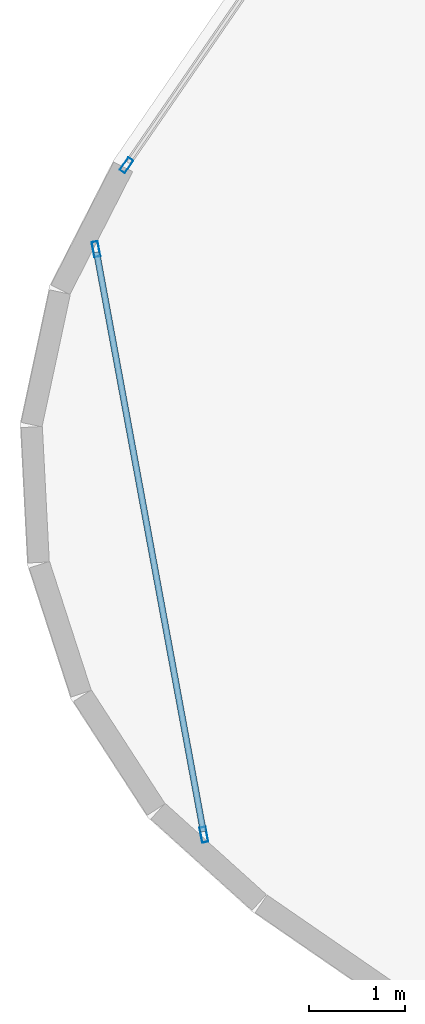
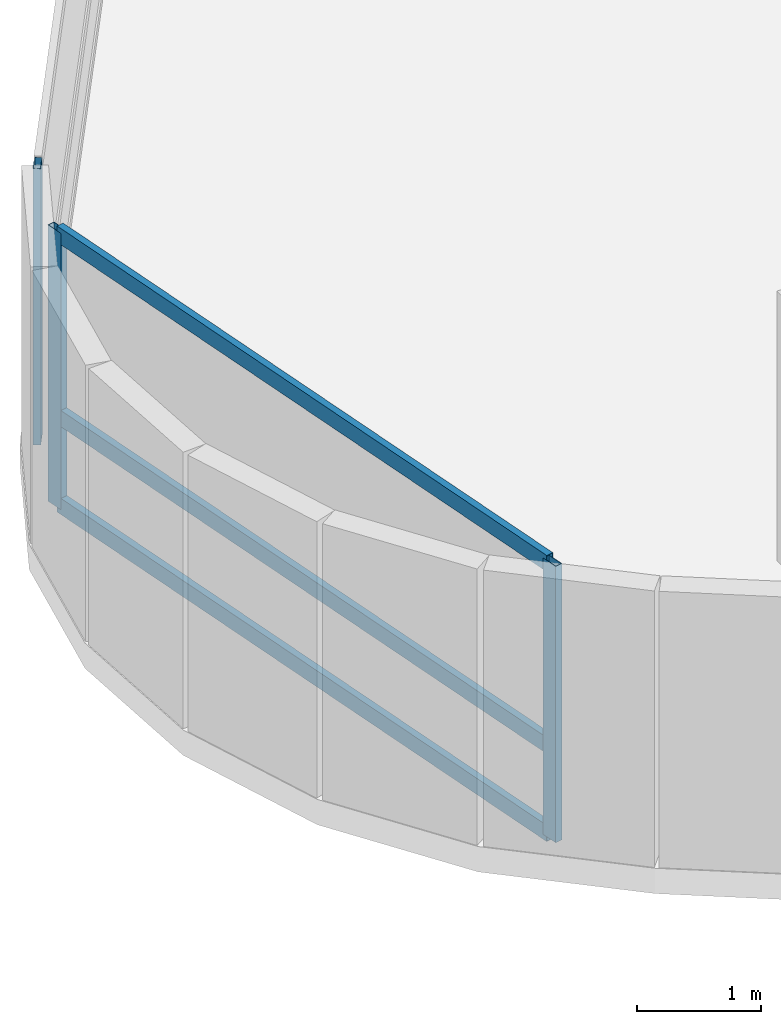
# One storey, part 4 of 27: 6 members, 2 elements without a shape of their own.
"""IFC4 building model written with IfcOpenShell, lengths in metres."""

from ifc_helpers import new_model, si_unit, direction, frame, origin, origin_2d, place, context, subcontext, project, spatial, hollow_rectangle, extrude, material, layer, layer_set, material_profile, profile_set, type_object, element, aggregate, save


model = new_model("IFC4")

# Units and contexts
model_context = context("Model", 3, precision=1e-05, world=origin(), true_north=direction((0.0, 1.0)))
body_context = subcontext(model_context, "Body", "Model", "MODEL_VIEW")
ifc_project = project(units=[si_unit("LENGTHUNIT", "METRE"), si_unit("AREAUNIT", "SQUARE_METRE"), si_unit("VOLUMEUNIT", "CUBIC_METRE"), si_unit("PLANEANGLEUNIT", "RADIAN"), si_unit("MASSUNIT", "GRAM", prefix="KILO")], contexts=[model_context])

# Site, building, storey
site_placement = place(None, origin())
site = spatial("IfcSite", under=ifc_project, at=site_placement, CompositionType="ELEMENT")
building_placement = place(site_placement, origin())
building = spatial("IfcBuilding", under=site, at=building_placement, Name="Varnelok Gate Tower", CompositionType="ELEMENT")
storey_placement = place(building_placement, frame((0.0, 0.0, 30.699951171875)))
storey = spatial("IfcBuildingStorey", under=building, at=storey_placement, Name="L06", CompositionType="ELEMENT", Elevation=30.699951171875)

# Curtain wall, member
ifc_material = material(Name="Anodized Aluminum Alloy 6063-T6", Category="aluminium")
ifc_layer_1 = layer(ifc_material, 0.179931640625)
ifc_layer_set_1 = layer_set([ifc_layer_1], Name="Anodized Aluminum Alloy 6063-T6")
curtain_wall_type_1 = type_object("IfcCurtainWallType", Name="CW3-HOTEL-VISION", PredefinedType="USERDEFINED", material=ifc_layer_set_1)
curtain_wall_1_placement = place(storey_placement, origin())
curtain_wall_1 = element("IfcCurtainWall", 1, at=curtain_wall_1_placement, inside=storey, type_object=curtain_wall_type_1, Name="L06 West End Vision Curtain Wall", ObjectType="UNITISED CURTAIN WALL", PredefinedType="USERDEFINED")
ifc_material_profile_1 = material_profile(ifc_material, hollow_rectangle(XDim=0.06494140625, YDim=0.159912109375, WallThickness=0.00390625, at=origin_2d()), Name="ALU160X65X4")
ifc_profile_set_1 = profile_set([ifc_material_profile_1], Name="Anodized Aluminum Alloy 6063-T6")
member_type_1 = type_object("IfcMemberType", Name="CW-MULL-160", PredefinedType="MULLION", material=ifc_profile_set_1)
member_1_placement = place(storey_placement, frame((-4.1240234375, 31.2607421875, 0.0), z_axis=(0.0, 0.0, 1.0), x_axis=(-0.823532685111, 0.567268822124, 0.0)))
member_1 = element("IfcMember", 2, at=member_1_placement, type_object=member_type_1, Name="CW3 mullion 1", PredefinedType="MULLION", context=body_context, shape_type="SweptSolid", body=[
    extrude(hollow_rectangle(XDim=0.06494140625, YDim=0.159912109375, WallThickness=0.00390625, at=origin_2d()), origin(), (0.0, 0.0, 1.0), 2.72998046875),
])
aggregate(curtain_wall_1, [member_1])

# Curtain wall, members
ifc_layer_2 = layer(ifc_material, 0.179931640625)
ifc_layer_set_2 = layer_set([ifc_layer_2], Name="Anodized Aluminum Alloy 6063-T6")
curtain_wall_type_2 = type_object("IfcCurtainWallType", Name="CW5-WINDCORNER-GLAZ", PredefinedType="USERDEFINED", material=ifc_layer_set_2)
curtain_wall_2_placement = place(storey_placement, origin())
curtain_wall_2 = element("IfcCurtainWall", 3, at=curtain_wall_2_placement, inside=storey, type_object=curtain_wall_type_2, Name="L06 Wind-Shaped Corner Curtain Wall SW", ObjectType="STRUCTURAL GLAZING", PredefinedType="USERDEFINED")
member_2_placement = place(storey_placement, frame((-4.43994140625, 30.39111328125, 0.0), z_axis=(0.0, 0.0, 1.0), x_axis=(0.983445670001, 0.181203239917, 0.0)))
member_2 = element("IfcMember", 4, at=member_2_placement, type_object=member_type_1, Name="CW5 mullion 1", PredefinedType="MULLION", context=body_context, shape_type="SweptSolid", body=[
    extrude(hollow_rectangle(XDim=0.06494140625, YDim=0.159912109375, WallThickness=0.00390625, at=origin_2d()), origin(), (0.0, 0.0, 1.0), 2.72998046875),
])
member_3_placement = place(storey_placement, frame((-3.32177734375, 24.321533203125, 0.0), z_axis=(0.0, 0.0, 1.0), x_axis=(0.983445670001, 0.181203239917, 0.0)))
member_3 = element("IfcMember", 5, at=member_3_placement, type_object=member_type_1, Name="CW5 mullion 2", PredefinedType="MULLION", context=body_context, shape_type="SweptSolid", body=[
    extrude(hollow_rectangle(XDim=0.06494140625, YDim=0.159912109375, WallThickness=0.00390625, at=origin_2d()), origin(), (0.0, 0.0, 1.0), 2.72998046875),
])
ifc_material_profile_2 = material_profile(ifc_material, hollow_rectangle(XDim=0.06494140625, YDim=0.159912109375, WallThickness=0.00390625, at=origin_2d()), Name="ALU160X65X4")
ifc_profile_set_2 = profile_set([ifc_material_profile_2], Name="Anodized Aluminum Alloy 6063-T6")
member_type_2 = type_object("IfcMemberType", Name="CW-TRAN-160", PredefinedType="USERDEFINED", material=ifc_profile_set_2)
member_4_placement = place(storey_placement, frame((-4.43408203125, 30.359130859375, 0.032470703125), z_axis=(0.181185833203, -0.983448877088, 0.0), x_axis=(0.983448877088, 0.181185833203, 0.0)))
member_4 = element("IfcMember", 6, at=member_4_placement, type_object=member_type_2, Name="CW5 transom 1.1", ObjectType="TRANSOM", PredefinedType="USERDEFINED", context=body_context, shape_type="SweptSolid", body=[
    extrude(hollow_rectangle(XDim=0.06494140625, YDim=0.159912109375, WallThickness=0.00390625, at=origin_2d()), origin(), (0.0, 0.0, 1.0), 6.106689453125),
])
member_5_placement = place(storey_placement, frame((-4.43408203125, 30.359130859375, 0.900146484375), z_axis=(0.181185833203, -0.983448877088, 0.0), x_axis=(0.983448877088, 0.181185833203, 0.0)))
member_5 = element("IfcMember", 7, at=member_5_placement, type_object=member_type_2, Name="CW5 transom 1.2", ObjectType="TRANSOM", PredefinedType="USERDEFINED", context=body_context, shape_type="SweptSolid", body=[
    extrude(hollow_rectangle(XDim=0.06494140625, YDim=0.159912109375, WallThickness=0.00390625, at=origin_2d()), origin(), (0.0, 0.0, 1.0), 6.106689453125),
])
member_6_placement = place(storey_placement, frame((-4.43408203125, 30.359130859375, 2.697509765625), z_axis=(0.181185833203, -0.983448877088, 0.0), x_axis=(0.983448877088, 0.181185833203, 0.0)))
member_6 = element("IfcMember", 8, at=member_6_placement, type_object=member_type_2, Name="CW5 transom 1.3", ObjectType="TRANSOM", PredefinedType="USERDEFINED", context=body_context, shape_type="SweptSolid", body=[
    extrude(hollow_rectangle(XDim=0.06494140625, YDim=0.159912109375, WallThickness=0.00390625, at=origin_2d()), origin(), (0.0, 0.0, 1.0), 6.106689453125),
])
aggregate(curtain_wall_2, [member_2, member_3, member_4, member_5, member_6])

save(model, "model.ifc")
